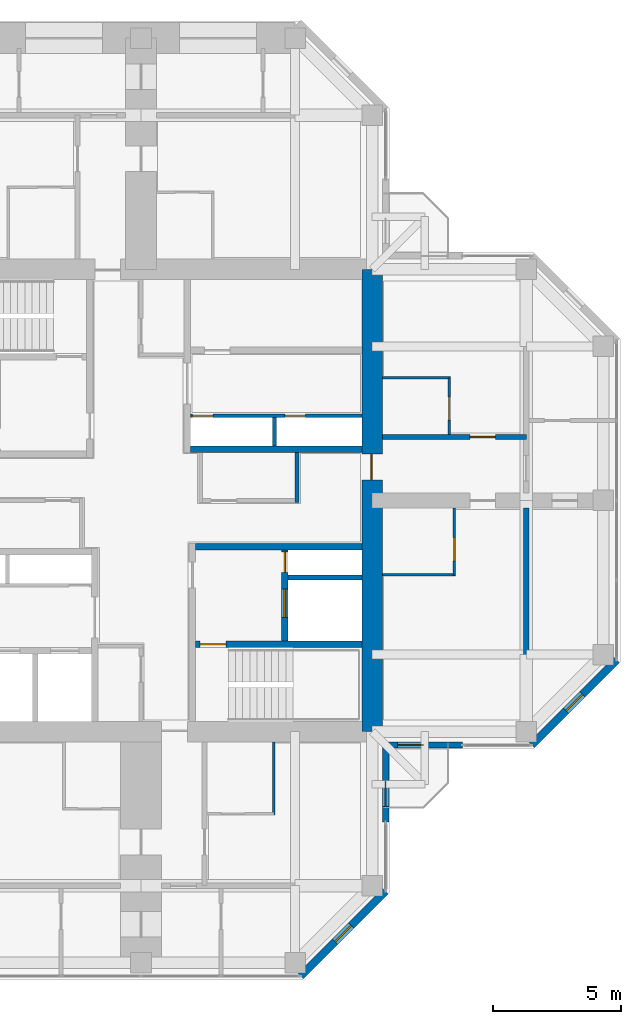
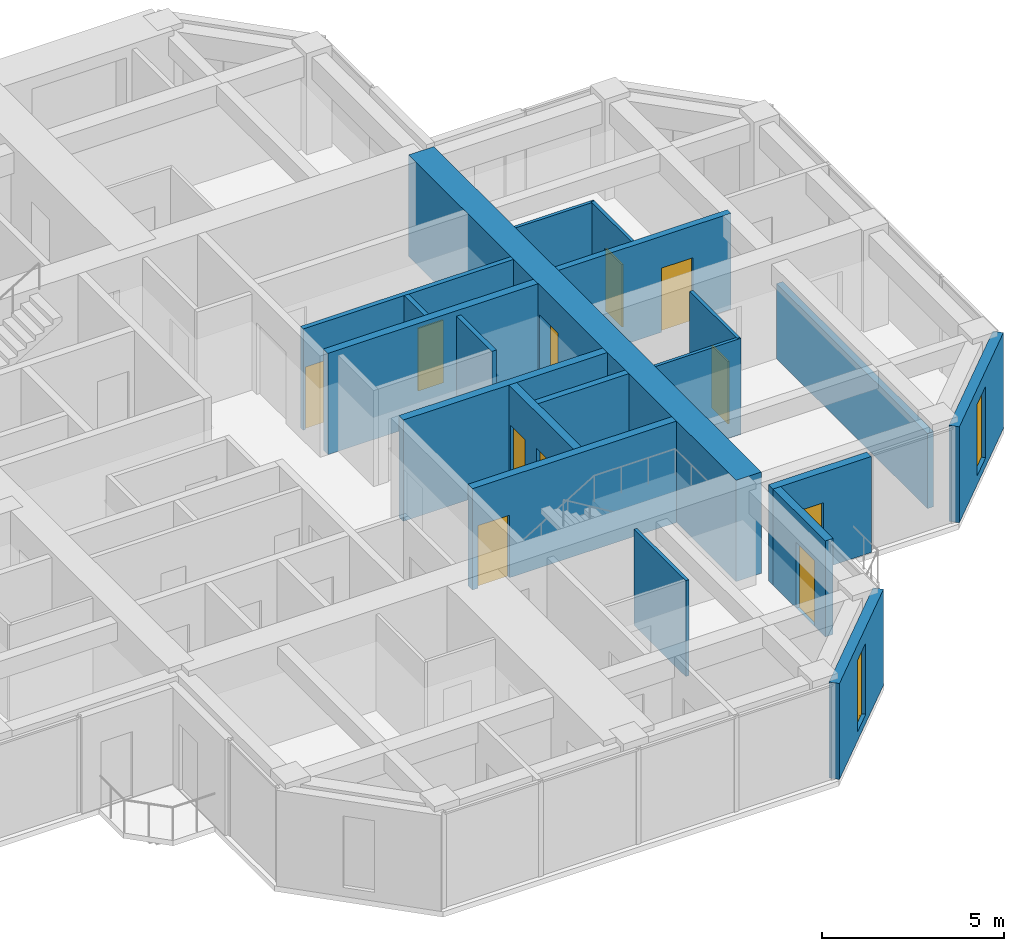
# One storey, part 11 of 14: 20 walls, 11 doors, 2 windows, 13 openings.
"""IFC4 building model written with IfcOpenShell, lengths in metres."""

from ifc_helpers import new_model, si_unit, direction, frame, frame_2d, origin, place, context, subcontext, project, spatial, rectangle, hollow_rectangle, extrude, material, layer, layer_set, constituent, constituent_set, type_object, element, fill, save


model = new_model("IFC4")

# Units and contexts
model_context = context("Model", 3, precision=1e-05, world=origin(), true_north=direction((0.0, 1.0)))
body_context = subcontext(model_context, "Body", "Model", "MODEL_VIEW")
ifc_project = project(units=[si_unit("LENGTHUNIT", "METRE"), si_unit("AREAUNIT", "SQUARE_METRE"), si_unit("VOLUMEUNIT", "CUBIC_METRE"), si_unit("PLANEANGLEUNIT", "RADIAN"), si_unit("MASSUNIT", "GRAM", prefix="KILO")], contexts=[model_context])

# Site, building, storey
site_placement = place(None, origin())
site = spatial("IfcSite", under=ifc_project, at=site_placement, CompositionType="ELEMENT")
building_placement = place(site_placement, origin())
building = spatial("IfcBuilding", under=site, at=building_placement, Name="Torre Cruceta", CompositionType="ELEMENT")
storey_placement = place(building_placement, frame((0.0, 0.0, 225.5)))
storey = spatial("IfcBuildingStorey", under=building, at=storey_placement, Name="L57", CompositionType="ELEMENT", Elevation=225.5)

# Wall
ifc_material_1 = material(Name="Water-resistant plasterboard on steel studs", Category="steel")
ifc_layer_1 = layer(ifc_material_1, 0.10009765625)
ifc_layer_set_1 = layer_set([ifc_layer_1], Name="Water-resistant plasterboard on steel studs")
wall_type_1 = type_object("IfcWallType", Name="BATHROOM WALL 100", PredefinedType="PARTITIONING", material=ifc_layer_set_1)
wall_1_placement = place(storey_placement, frame((9.39990234375, 4.77490234375, 0.0), z_axis=(0.0, 0.0, 1.0), x_axis=(1.0, 0.0, 0.0)))
element("IfcWall", 1, at=wall_1_placement, inside=storey, type_object=wall_type_1, Name="PT4 L57-E-U1LBB", PredefinedType="PARTITIONING", context=body_context, shape_type="SweptSolid", body=[
    extrude(rectangle(XDim=2.650146484375, YDim=0.10009765625, at=frame_2d((1.3251953125, 0.0))), origin(), (0.0, 0.0, 1.0), 3.219970703125),
])

# Wall, opening, door
wall_2_placement = place(storey_placement, frame((12.0, 2.574951171875, 0.0), z_axis=(0.0, 0.0, 1.0), x_axis=(0.0, 1.0, 0.0)))
wall_2 = element("IfcWall", 2, at=wall_2_placement, inside=storey, type_object=wall_type_1, Name="PT4 L57-E-U1LBS", PredefinedType="PARTITIONING", context=body_context, shape_type="SweptSolid", body=[
    extrude(rectangle(XDim=2.199951171875, YDim=0.10009765625, at=frame_2d((1.10009765625, 0.0))), origin(), (0.0, 0.0, 1.0), 3.219970703125),
])
opening_1_placement = place(wall_2_placement, frame((0.550048828125, 0.0, 0.0)))
opening_1 = element("IfcOpeningElement", 3, at=opening_1_placement, cuts=wall_2, Name="Opening D7", PredefinedType="OPENING", context=body_context, shape_type="SweptSolid", body=[
    extrude(rectangle(XDim=0.89990234375, YDim=2.10009765625, at=frame_2d((0.449951171875, 1.050048828125))), frame((0.0, 0.06005859375, 0.0), z_axis=(0.0, -1.0, 0.0), x_axis=(1.0, 0.0, 0.0)), (0.0, 0.0, 1.0), 0.1201171875),
])
ifc_material_2 = material(Name="Timber door", Category="wood")
door_type_1 = type_object("IfcDoorType", Name="BATHROOM DOOR 900X2100", OperationType="SINGLE_SWING_LEFT", PredefinedType="DOOR", material=ifc_material_2)
door_1_placement = place(opening_1_placement, origin())
door_1 = element("IfcDoor", 4, at=door_1_placement, inside=storey, type_object=door_type_1, Name="D7 L57-E-U1LBS-D1", OperationType="SINGLE_SWING_LEFT", OverallHeight=2.10009765625, OverallWidth=0.89990234375, PredefinedType="DOOR", context=body_context, shape_type="SweptSolid", body=[
    extrude(rectangle(XDim=0.89990234375, YDim=2.10009765625, at=frame_2d((0.449951171875, 1.050048828125))), frame((0.0, 0.02490234375, 0.0), z_axis=(0.0, -1.0, 0.0), x_axis=(1.0, 0.0, 0.0)), (0.0, 0.0, 1.0), 0.050048828125),
])
fill(opening_1, door_1)

# Wall
wall_3_placement = place(storey_placement, frame((9.39990234375, -2.89990234375, 0.0), z_axis=(0.0, 0.0, 1.0), x_axis=(1.0, 0.0, 0.0)))
element("IfcWall", 5, at=wall_3_placement, inside=storey, type_object=wall_type_1, Name="PT4 L57-E-U1RBB", PredefinedType="PARTITIONING", context=body_context, shape_type="SweptSolid", body=[
    extrude(rectangle(XDim=2.85009765625, YDim=0.10009765625, at=frame_2d((1.425048828125, 0.0))), origin(), (0.0, 0.0, 1.0), 3.219970703125),
])

# Wall, opening, door
wall_4_placement = place(storey_placement, frame((12.199951171875, -2.89990234375, 0.0), z_axis=(0.0, 0.0, 1.0), x_axis=(0.0, 1.0, 0.0)))
wall_4 = element("IfcWall", 6, at=wall_4_placement, inside=storey, type_object=wall_type_1, Name="PT4 L57-E-U1RBS", PredefinedType="PARTITIONING", context=body_context, shape_type="SweptSolid", body=[
    extrude(rectangle(XDim=2.599853515625, YDim=0.10009765625, at=frame_2d((1.2998046875, 0.0))), origin(), (0.0, 0.0, 1.0), 3.219970703125),
])
opening_2_placement = place(wall_4_placement, frame((0.550048828125, 0.0, 0.0)))
opening_2 = element("IfcOpeningElement", 7, at=opening_2_placement, cuts=wall_4, Name="Opening D7", PredefinedType="OPENING", context=body_context, shape_type="SweptSolid", body=[
    extrude(rectangle(XDim=0.89990234375, YDim=2.10009765625, at=frame_2d((0.449951171875, 1.050048828125))), frame((0.0, 0.06005859375, 0.0), z_axis=(0.0, -1.0, 0.0), x_axis=(1.0, 0.0, 0.0)), (0.0, 0.0, 1.0), 0.1201171875),
])
door_2_placement = place(opening_2_placement, origin())
door_2 = element("IfcDoor", 8, at=door_2_placement, inside=storey, type_object=door_type_1, Name="D7 L57-E-U1RBS-D1", OperationType="SINGLE_SWING_LEFT", OverallHeight=2.10009765625, OverallWidth=0.89990234375, PredefinedType="DOOR", context=body_context, shape_type="SweptSolid", body=[
    extrude(rectangle(XDim=0.89990234375, YDim=2.10009765625, at=frame_2d((0.449951171875, 1.050048828125))), frame((0.0, 0.02490234375, 0.0), z_axis=(0.0, -1.0, 0.0), x_axis=(1.0, 0.0, 0.0)), (0.0, 0.0, 1.0), 0.050048828125),
])
fill(opening_2, door_2)

# Walls
wall_5_placement = place(storey_placement, frame((5.175048828125, -9.39990234375, 0.0), z_axis=(0.0, 0.0, 1.0), x_axis=(0.0, -1.0, 0.0)))
element("IfcWall", 9, at=wall_5_placement, inside=storey, type_object=wall_type_1, Name="PT4 L57-S-U1LBB", PredefinedType="PARTITIONING", context=body_context, shape_type="SweptSolid", body=[
    extrude(rectangle(XDim=2.85009765625, YDim=0.10009765625, at=frame_2d((1.425048828125, 0.0))), origin(), (0.0, 0.0, 1.0), 3.219970703125),
])
ifc_material_3 = material(Name="Concrete G60 (fck 60 MPa)", Category="concrete")
ifc_layer_2 = layer(ifc_material_3, 0.25)
ifc_layer_set_2 = layer_set([ifc_layer_2], Name="Concrete G60 (fck 60 MPa)")
wall_type_2 = type_object("IfcWallType", Name="CORE INNER WALL 250 G60", PredefinedType="SHEAR", material=ifc_layer_set_2)
wall_6_placement = place(storey_placement, frame((1.925048828125, 2.0, 0.0), z_axis=(0.0, 0.0, 1.0), x_axis=(1.0, 0.0, 0.0)))
element("IfcWall", 10, at=wall_6_placement, inside=storey, type_object=wall_type_2, Name="CW4 L57 NE-CV", PredefinedType="SHEAR", context=body_context, shape_type="SweptSolid", body=[
    extrude(rectangle(XDim=6.675048828125, YDim=0.25, at=frame_2d((3.33740234375, 0.0))), origin(), (0.0, 0.0, 1.0), 3.39990234375),
])
wall_7_placement = place(storey_placement, frame((2.125, -1.800048828125, 0.0), z_axis=(0.0, 0.0, 1.0), x_axis=(1.0, 0.0, 0.0)))
element("IfcWall", 11, at=wall_7_placement, inside=storey, type_object=wall_type_2, Name="CW4 L57 SE-CV", PredefinedType="SHEAR", context=body_context, shape_type="SweptSolid", body=[
    extrude(rectangle(XDim=6.47509765625, YDim=0.25, at=frame_2d((3.237548828125, 0.0))), origin(), (0.0, 0.0, 1.0), 3.39990234375),
])

# Wall, opening, door
wall_8_placement = place(storey_placement, frame((2.125, -5.60009765625, 0.0), z_axis=(0.0, 0.0, 1.0), x_axis=(1.0, 0.0, 0.0)))
wall_8 = element("IfcWall", 12, at=wall_8_placement, inside=storey, type_object=wall_type_2, Name="CW4 L57 SE-SV", PredefinedType="SHEAR", context=body_context, shape_type="SweptSolid", body=[
    extrude(rectangle(XDim=6.47509765625, YDim=0.25, at=frame_2d((3.237548828125, 0.0))), origin(), (0.0, 0.0, 1.0), 3.39990234375),
])
opening_3_placement = place(wall_8_placement, frame((0.175048828125, 0.0, 0.0)))
opening_3 = element("IfcOpeningElement", 13, at=opening_3_placement, cuts=wall_8, Name="Opening D3", PredefinedType="OPENING", context=body_context, shape_type="SweptSolid", body=[
    extrude(rectangle(XDim=1.0, YDim=2.10009765625, at=frame_2d((0.5, 1.050048828125))), frame((0.0, 0.135009765625, 0.0), z_axis=(0.0, -1.0, 0.0), x_axis=(1.0, 0.0, 0.0)), (0.0, 0.0, 1.0), 0.27001953125),
])
ifc_material_4 = material(Name="Steel DX51D", Category="steel")
ifc_constituent_1 = constituent(ifc_material_4, Name="Leaf and frame")
ifc_material_5 = material(Name="Polyester powder coating", Category="paint")
ifc_constituent_2 = constituent(ifc_material_5, Name="Finish")
ifc_constituent_set_1 = constituent_set(constituents=[ifc_constituent_1, ifc_constituent_2], Name="Steel fire door")
door_type_2 = type_object("IfcDoorType", Name="FIRE DOOR 1000X2100", OperationType="SINGLE_SWING_LEFT", PredefinedType="DOOR", material=ifc_constituent_set_1)
door_3_placement = place(opening_3_placement, frame((1.0, 0.0, 0.0), z_axis=(0.0, 0.0, 1.0), x_axis=(-1.0, 0.0, 0.0)))
door_3 = element("IfcDoor", 14, at=door_3_placement, inside=storey, type_object=door_type_2, Name="D3 L57 SE-STAIR", OperationType="SINGLE_SWING_RIGHT", OverallHeight=2.10009765625, OverallWidth=1.0, PredefinedType="DOOR", context=body_context, shape_type="SweptSolid", body=[
    extrude(rectangle(XDim=1.0, YDim=2.10009765625, at=frame_2d((0.5, 1.050048828125))), frame((0.0, 0.025146484375, 0.0), z_axis=(0.0, -1.0, 0.0), x_axis=(1.0, 0.0, 0.0)), (0.0, 0.0, 1.0), 0.050048828125),
])
fill(opening_3, door_3)

# Wall, openings, doors
wall_9_placement = place(storey_placement, frame((5.60009765625, -1.925048828125, 0.0), z_axis=(0.0, 0.0, 1.0), x_axis=(0.0, -1.0, 0.0)))
wall_9 = element("IfcWall", 15, at=wall_9_placement, inside=storey, type_object=wall_type_2, Name="CW4 L57 SE-FU", PredefinedType="SHEAR", context=body_context, shape_type="SweptSolid", body=[
    extrude(rectangle(XDim=3.550048828125, YDim=0.25, at=frame_2d((1.77490234375, 0.0))), origin(), (0.0, 0.0, 1.0), 3.39990234375),
])
opening_4_placement = place(wall_9_placement, frame((1.52490234375, 0.0, 0.0)))
opening_4 = element("IfcOpeningElement", 16, at=opening_4_placement, cuts=wall_9, Name="Opening LD1", PredefinedType="OPENING", context=body_context, shape_type="SweptSolid", body=[
    extrude(rectangle(XDim=1.10009765625, YDim=2.199951171875, at=frame_2d((0.550048828125, 1.10009765625))), frame((0.0, 0.135009765625, 0.0), z_axis=(0.0, -1.0, 0.0), x_axis=(1.0, 0.0, 0.0)), (0.0, 0.0, 1.0), 0.27001953125),
])
opening_5_placement = place(wall_9_placement, frame((0.074951171875, 0.0, 0.0)))
opening_5 = element("IfcOpeningElement", 17, at=opening_5_placement, cuts=wall_9, Name="Opening D5", PredefinedType="OPENING", context=body_context, shape_type="SweptSolid", body=[
    extrude(rectangle(XDim=0.800048828125, YDim=2.10009765625, at=frame_2d((0.39990234375, 1.050048828125))), frame((0.0, 0.135009765625, 0.0), z_axis=(0.0, -1.0, 0.0), x_axis=(1.0, 0.0, 0.0)), (0.0, 0.0, 1.0), 0.27001953125),
])
ifc_material_6 = material(Name="Stainless steel 1.4401", Category="steel")
door_type_3 = type_object("IfcDoorType", Name="LIFT LANDING DOOR 1100X2200", OperationType="DOUBLE_DOOR_SLIDING", PredefinedType="DOOR", material=ifc_material_6)
door_4_placement = place(opening_4_placement, origin())
door_4 = element("IfcDoor", 18, at=door_4_placement, inside=storey, type_object=door_type_3, Name="Lift landing door FL2", OperationType="DOUBLE_DOOR_SLIDING", OverallHeight=2.199951171875, OverallWidth=1.10009765625, PredefinedType="DOOR", context=body_context, shape_type="SweptSolid", body=[
    extrude(rectangle(XDim=1.10009765625, YDim=2.199951171875, at=frame_2d((0.550048828125, 1.10009765625))), frame((0.0, 0.02490234375, 0.0), z_axis=(0.0, -1.0, 0.0), x_axis=(1.0, 0.0, 0.0)), (0.0, 0.0, 1.0), 0.050048828125),
])
fill(opening_4, door_4)
ifc_material_7 = material(Name="Steel DX51D", Category="steel")
ifc_constituent_3 = constituent(ifc_material_7, Name="Leaf and frame")
ifc_material_8 = material(Name="Polyester powder coating", Category="paint")
ifc_constituent_4 = constituent(ifc_material_8, Name="Finish")
ifc_constituent_set_2 = constituent_set(constituents=[ifc_constituent_3, ifc_constituent_4], Name="Steel fire door")
door_type_4 = type_object("IfcDoorType", Name="RISER ACCESS DOOR 800X2100", OperationType="SINGLE_SWING_LEFT", PredefinedType="DOOR", material=ifc_constituent_set_2)
door_5_placement = place(opening_5_placement, origin())
door_5 = element("IfcDoor", 19, at=door_5_placement, inside=storey, type_object=door_type_4, Name="D5 L57 SE-RISER", OperationType="SINGLE_SWING_LEFT", OverallHeight=2.10009765625, OverallWidth=0.800048828125, PredefinedType="DOOR", context=body_context, shape_type="SweptSolid", body=[
    extrude(rectangle(XDim=0.800048828125, YDim=2.10009765625, at=frame_2d((0.39990234375, 1.050048828125))), frame((0.0, 0.02490234375, 0.0), z_axis=(0.0, -1.0, 0.0), x_axis=(1.0, 0.0, 0.0)), (0.0, 0.0, 1.0), 0.050048828125),
])
fill(opening_5, door_5)

# Wall, opening, door
ifc_material_9 = material(Name="Concrete G60 (fck 60 MPa)", Category="concrete")
ifc_layer_3 = layer(ifc_material_9, 0.800048828125)
ifc_layer_set_3 = layer_set([ifc_layer_3], Name="Concrete G60 (fck 60 MPa)")
wall_type_3 = type_object("IfcWallType", Name="CORE WALL 800 G60", PredefinedType="SHEAR", material=ifc_layer_set_3)
wall_10_placement = place(storey_placement, frame((9.0, -9.0, 0.0), z_axis=(0.0, 0.0, 1.0), x_axis=(0.0, 1.0, 0.0)))
wall_10 = element("IfcWall", 20, at=wall_10_placement, inside=storey, type_object=wall_type_3, Name="CW3 L57 CW-E", PredefinedType="SHEAR", context=body_context, shape_type="SweptSolid", body=[
    extrude(rectangle(XDim=18.0, YDim=0.800048828125, at=frame_2d((9.0, 0.0))), origin(), (0.0, 0.0, 1.0), 3.39990234375),
])
opening_6_placement = place(wall_10_placement, frame((9.800048828125, 0.0, 0.0)))
opening_6 = element("IfcOpeningElement", 21, at=opening_6_placement, cuts=wall_10, Name="Opening D4", PredefinedType="OPENING", context=body_context, shape_type="SweptSolid", body=[
    extrude(rectangle(XDim=1.0, YDim=2.39990234375, at=frame_2d((0.5, 1.199951171875))), frame((0.0, 0.409912109375, 0.0), z_axis=(0.0, -1.0, 0.0), x_axis=(1.0, 0.0, 0.0)), (0.0, 0.0, 1.0), 0.820068359375),
])
ifc_material_10 = material(Name="Steel DX51D", Category="steel")
ifc_constituent_5 = constituent(ifc_material_10, Name="Leaf and frame")
ifc_material_11 = material(Name="Polyester powder coating", Category="paint")
ifc_constituent_6 = constituent(ifc_material_11, Name="Finish")
ifc_constituent_set_3 = constituent_set(constituents=[ifc_constituent_5, ifc_constituent_6], Name="Steel fire door")
door_type_5 = type_object("IfcDoorType", Name="CORE ARM DOOR 1000X2400", OperationType="SINGLE_SWING_RIGHT", PredefinedType="DOOR", material=ifc_constituent_set_3)
door_6_placement = place(opening_6_placement, origin())
door_6 = element("IfcDoor", 22, at=door_6_placement, inside=storey, type_object=door_type_5, Name="D4 L57 CW-E", OperationType="SINGLE_SWING_RIGHT", OverallHeight=2.39990234375, OverallWidth=1.0, PredefinedType="DOOR", context=body_context, shape_type="SweptSolid", body=[
    extrude(rectangle(XDim=1.0, YDim=2.39990234375, at=frame_2d((0.5, 1.199951171875))), frame((0.0, 0.05517578125, 0.0), z_axis=(0.0, -1.0, 0.0), x_axis=(1.0, 0.0, 0.0)), (0.0, 0.0, 1.0), 0.050048828125),
])
fill(opening_6, door_6)

ifc_material_12 = material(Name="Concrete G25 (fck 25 MPa)", Category="concrete")
ifc_layer_4 = layer(ifc_material_12, 0.199951171875)
ifc_layer_set_4 = layer_set([ifc_layer_4], Name="Concrete G25 (fck 25 MPa)")
wall_type_4 = type_object("IfcWallType", Name="CORRIDOR WALL 200", PredefinedType="SOLIDWALL", material=ifc_layer_set_4)
wall_11_placement = place(storey_placement, frame((9.39990234375, 2.47509765625, 0.0), z_axis=(0.0, 0.0, 1.0), x_axis=(1.0, 0.0, 0.0)))
wall_11 = element("IfcWall", 23, at=wall_11_placement, inside=storey, type_object=wall_type_4, Name="PT3 L57-E-CL", PredefinedType="SOLIDWALL", context=body_context, shape_type="SweptSolid", body=[
    extrude(rectangle(XDim=5.60009765625, YDim=0.199951171875, at=frame_2d((2.800048828125, 0.0))), origin(), (0.0, 0.0, 1.0), 3.219970703125),
])
opening_7_placement = place(wall_11_placement, frame((3.39990234375, 0.0, 0.0)))
opening_7 = element("IfcOpeningElement", 24, at=opening_7_placement, cuts=wall_11, Name="Opening D6", PredefinedType="OPENING", context=body_context, shape_type="SweptSolid", body=[
    extrude(rectangle(XDim=1.0, YDim=2.14990234375, at=frame_2d((0.5, 1.074951171875))), frame((0.0, 0.10986328125, 0.0), z_axis=(0.0, -1.0, 0.0), x_axis=(1.0, 0.0, 0.0)), (0.0, 0.0, 1.0), 0.219970703125),
])
ifc_material_13 = material(Name="Timber fire door", Category="wood")
door_type_6 = type_object("IfcDoorType", Name="UNIT ENTRANCE DOOR 1000X2150", OperationType="SINGLE_SWING_LEFT", PredefinedType="DOOR", material=ifc_material_13)
door_7_placement = place(opening_7_placement, origin())
door_7 = element("IfcDoor", 25, at=door_7_placement, inside=storey, type_object=door_type_6, Name="D6 L57-E-CL-D1", OperationType="SINGLE_SWING_LEFT", OverallHeight=2.14990234375, OverallWidth=1.0, PredefinedType="DOOR", context=body_context, shape_type="SweptSolid", body=[
    extrude(rectangle(XDim=1.0, YDim=2.14990234375, at=frame_2d((0.5, 1.074951171875))), frame((0.0, 0.02490234375, 0.0), z_axis=(0.0, -1.0, 0.0), x_axis=(1.0, 0.0, 0.0)), (0.0, 0.0, 1.0), 0.050048828125),
])
fill(opening_7, door_7)

# Wall, opening, window
ifc_material_14 = material(Name="Concrete G30 (fck 30 MPa)", Category="concrete")
ifc_layer_5 = layer(ifc_material_14, 0.300048828125)
ifc_layer_set_5 = layer_set([ifc_layer_5], Name="Concrete G30 (fck 30 MPa)")
wall_type_5 = type_object("IfcWallType", Name="EXPOSED CONCRETE FACADE WALL 300", PredefinedType="SOLIDWALL", material=ifc_layer_set_5)
wall_12_placement = place(storey_placement, frame((15.21533203125, -9.52001953125, 0.0), z_axis=(0.0, 0.0, 1.0), x_axis=(0.707106781187, 0.707106781187, 0.0)))
wall_12 = element("IfcWall", 26, at=wall_12_placement, inside=storey, type_object=wall_type_5, Name="EW1 facade wall L57 E chamfer 01", PredefinedType="SOLIDWALL", context=body_context, shape_type="SweptSolid", body=[
    extrude(rectangle(XDim=4.673583984375, YDim=0.300048828125, at=frame_2d((2.3369140625, 0.0))), origin(), (0.0, 0.0, 1.0), 3.219970703125),
])
opening_8_placement = place(wall_12_placement, frame((1.88671875, 0.0, 0.300048828125)))
opening_8 = element("IfcOpeningElement", 27, at=opening_8_placement, cuts=wall_12, Name="Opening WN5", PredefinedType="OPENING", context=body_context, shape_type="SweptSolid", body=[
    extrude(rectangle(XDim=0.89990234375, YDim=2.39990234375, at=frame_2d((0.449951171875, 1.199951171875))), frame((0.0, 0.159912109375, 0.0), z_axis=(0.0, -1.0, 0.0), x_axis=(1.0, 0.0, 0.0)), (0.0, 0.0, 1.0), 0.320068359375),
])
ifc_material_15 = material(Name="Aluminium window frame", Category="aluminium")
ifc_constituent_7 = constituent(ifc_material_15, Name="Frame")
ifc_material_16 = material(Name="Laminated insulating glass unit, low-iron clear", Category="glass")
ifc_constituent_8 = constituent(ifc_material_16, Name="Glazing")
ifc_constituent_set_4 = constituent_set(constituents=[ifc_constituent_7, ifc_constituent_8], Name="Aluminium window")
window_type = type_object("IfcWindowType", Name="CHAMFER SLOT WINDOW 900X2400", PartitioningType="SINGLE_PANEL", PredefinedType="WINDOW", material=ifc_constituent_set_4)
window_1_placement = place(opening_8_placement, origin())
window_1 = element("IfcWindow", 28, at=window_1_placement, inside=storey, type_object=window_type, Name="WN5 L57 E 1", OverallHeight=2.39990234375, OverallWidth=0.89990234375, PartitioningType="SINGLE_PANEL", PredefinedType="WINDOW", context=body_context, shape_type="SweptSolid", body=[
    extrude(hollow_rectangle(XDim=0.89990234375, YDim=2.39990234375, WallThickness=0.06005859375, at=frame_2d((0.449951171875, 1.199951171875))), frame((0.0, 0.030029296875, 0.0), z_axis=(0.0, -1.0, 0.0), x_axis=(1.0, 0.0, 0.0)), (0.0, 0.0, 1.0), 0.06005859375),
    extrude(rectangle(XDim=0.77880859375, YDim=2.27880859375, at=frame_2d((0.449951171875, 1.199951171875))), frame((0.0, 0.030029296875, 0.0), z_axis=(0.0, -1.0, 0.0), x_axis=(1.0, 0.0, 0.0)), (0.0, 0.0, 1.0), 0.06005859375),
])
fill(opening_8, window_1)

wall_13_placement = place(storey_placement, frame((6.21533203125, -18.52001953125, 0.0), z_axis=(0.0, 0.0, 1.0), x_axis=(0.707106781187, 0.707106781187, 0.0)))
wall_13 = element("IfcWall", 29, at=wall_13_placement, inside=storey, type_object=wall_type_5, Name="EW1 facade wall L57 S chamfer 18", PredefinedType="SOLIDWALL", context=body_context, shape_type="SweptSolid", body=[
    extrude(rectangle(XDim=4.673583984375, YDim=0.300048828125, at=frame_2d((2.3369140625, 0.0))), origin(), (0.0, 0.0, 1.0), 3.219970703125),
])
opening_9_placement = place(wall_13_placement, frame((1.88671875, 0.0, 0.300048828125)))
opening_9 = element("IfcOpeningElement", 30, at=opening_9_placement, cuts=wall_13, Name="Opening WN5", PredefinedType="OPENING", context=body_context, shape_type="SweptSolid", body=[
    extrude(rectangle(XDim=0.89990234375, YDim=2.39990234375, at=frame_2d((0.449951171875, 1.199951171875))), frame((0.0, 0.159912109375, 0.0), z_axis=(0.0, -1.0, 0.0), x_axis=(1.0, 0.0, 0.0)), (0.0, 0.0, 1.0), 0.320068359375),
])
window_2_placement = place(opening_9_placement, origin())
window_2 = element("IfcWindow", 31, at=window_2_placement, inside=storey, type_object=window_type, Name="WN5 L57 S 1", OverallHeight=2.39990234375, OverallWidth=0.89990234375, PartitioningType="SINGLE_PANEL", PredefinedType="WINDOW", context=body_context, shape_type="SweptSolid", body=[
    extrude(hollow_rectangle(XDim=0.89990234375, YDim=2.39990234375, WallThickness=0.06005859375, at=frame_2d((0.449951171875, 1.199951171875))), frame((0.0, 0.030029296875, 0.0), z_axis=(0.0, -1.0, 0.0), x_axis=(1.0, 0.0, 0.0)), (0.0, 0.0, 1.0), 0.06005859375),
    extrude(rectangle(XDim=0.77880859375, YDim=2.27880859375, at=frame_2d((0.449951171875, 1.199951171875))), frame((0.0, 0.030029296875, 0.0), z_axis=(0.0, -1.0, 0.0), x_axis=(1.0, 0.0, 0.0)), (0.0, 0.0, 1.0), 0.06005859375),
])
fill(opening_9, window_2)

# Walls
ifc_material_17 = material(Name="Concrete G35 (fck 35 MPa)", Category="concrete")
ifc_layer_6 = layer(ifc_material_17, 0.199951171875)
ifc_layer_set_6 = layer_set([ifc_layer_6], Name="Concrete G35 (fck 35 MPa)")
wall_type_6 = type_object("IfcWallType", Name="LIFT SHAFT WALL 200", PredefinedType="PARTITIONING", material=ifc_layer_set_6)
wall_14_placement = place(storey_placement, frame((5.72509765625, -3.0, 0.0), z_axis=(0.0, 0.0, 1.0), x_axis=(1.0, 0.0, 0.0)))
element("IfcWall", 32, at=wall_14_placement, inside=storey, type_object=wall_type_6, Name="SW1 L57 SE-FR", PredefinedType="PARTITIONING", context=body_context, shape_type="SweptSolid", body=[
    extrude(rectangle(XDim=2.875, YDim=0.199951171875, at=frame_2d((1.4375, 0.0))), origin(), (0.0, 0.0, 1.0), 3.39990234375),
])
ifc_material_18 = material(Name="Plasterboard on steel studs", Category="steel")
ifc_layer_7 = layer(ifc_material_18, 0.14990234375)
ifc_layer_set_7 = layer_set([ifc_layer_7], Name="Plasterboard on steel studs")
wall_type_7 = type_object("IfcWallType", Name="PARTITION 150", PredefinedType="PARTITIONING", material=ifc_layer_set_7)
wall_15_placement = place(storey_placement, frame((6.074951171875, -0.074951171875, 0.0), z_axis=(0.0, 0.0, 1.0), x_axis=(0.0, 1.0, 0.0)))
element("IfcWall", 33, at=wall_15_placement, inside=storey, type_object=wall_type_7, Name="PT1 L57-CORE-LEGE-N-W3", PredefinedType="PARTITIONING", context=body_context, shape_type="SweptSolid", body=[
    extrude(rectangle(XDim=1.949951171875, YDim=0.14990234375, at=frame_2d((0.97509765625, 0.0))), origin(), (0.0, 0.0, 1.0), 3.219970703125),
])

# Wall, openings, doors
ifc_material_19 = material(Name="Concrete block masonry", Category="masonry")
ifc_layer_8 = layer(ifc_material_19, 0.14990234375)
ifc_layer_set_8 = layer_set([ifc_layer_8], Name="Concrete block masonry")
wall_type_8 = type_object("IfcWallType", Name="RISER WALL 150", PredefinedType="PARTITIONING", material=ifc_layer_set_8)
wall_16_placement = place(storey_placement, frame((1.925048828125, 3.300048828125, 0.0), z_axis=(0.0, 0.0, 1.0), x_axis=(1.0, 0.0, 0.0)))
wall_16 = element("IfcWall", 34, at=wall_16_placement, inside=storey, type_object=wall_type_8, Name="SW7 L57 NE-RV", PredefinedType="PARTITIONING", context=body_context, shape_type="SweptSolid", body=[
    extrude(rectangle(XDim=6.675048828125, YDim=0.14990234375, at=frame_2d((3.33740234375, 0.0))), origin(), (0.0, 0.0, 1.0), 3.39990234375),
])
opening_10_placement = place(wall_16_placement, frame((0.074951171875, 0.0, 0.0)))
opening_10 = element("IfcOpeningElement", 35, at=opening_10_placement, cuts=wall_16, Name="Opening D5", PredefinedType="OPENING", context=body_context, shape_type="SweptSolid", body=[
    extrude(rectangle(XDim=0.800048828125, YDim=2.10009765625, at=frame_2d((0.39990234375, 1.050048828125))), frame((0.0, 0.0849609375, 0.0), z_axis=(0.0, -1.0, 0.0), x_axis=(1.0, 0.0, 0.0)), (0.0, 0.0, 1.0), 0.169921875),
])
opening_11_placement = place(wall_16_placement, frame((3.675048828125, 0.0, 0.0)))
opening_11 = element("IfcOpeningElement", 36, at=opening_11_placement, cuts=wall_16, Name="Opening D5", PredefinedType="OPENING", context=body_context, shape_type="SweptSolid", body=[
    extrude(rectangle(XDim=0.800048828125, YDim=2.10009765625, at=frame_2d((0.39990234375, 1.050048828125))), frame((0.0, 0.0849609375, 0.0), z_axis=(0.0, -1.0, 0.0), x_axis=(1.0, 0.0, 0.0)), (0.0, 0.0, 1.0), 0.169921875),
])
door_8_placement = place(opening_10_placement, frame((0.800048828125, 0.0, 0.0), z_axis=(0.0, 0.0, 1.0), x_axis=(-1.0, 0.0, 0.0)))
door_8 = element("IfcDoor", 37, at=door_8_placement, inside=storey, type_object=door_type_4, Name="D5 L57 NE-RISER1", OperationType="SINGLE_SWING_RIGHT", OverallHeight=2.10009765625, OverallWidth=0.800048828125, PredefinedType="DOOR", context=body_context, shape_type="SweptSolid", body=[
    extrude(rectangle(XDim=0.800048828125, YDim=2.10009765625, at=frame_2d((0.400146484375, 1.050048828125))), frame((0.0, 0.025146484375, 0.0), z_axis=(0.0, -1.0, 0.0), x_axis=(1.0, 0.0, 0.0)), (0.0, 0.0, 1.0), 0.050048828125),
])
fill(opening_10, door_8)
door_9_placement = place(opening_11_placement, frame((0.800048828125, 0.0, 0.0), z_axis=(0.0, 0.0, 1.0), x_axis=(-1.0, 0.0, 0.0)))
door_9 = element("IfcDoor", 38, at=door_9_placement, inside=storey, type_object=door_type_4, Name="D5 L57 NE-RISER2", OperationType="SINGLE_SWING_RIGHT", OverallHeight=2.10009765625, OverallWidth=0.800048828125, PredefinedType="DOOR", context=body_context, shape_type="SweptSolid", body=[
    extrude(rectangle(XDim=0.800048828125, YDim=2.10009765625, at=frame_2d((0.400146484375, 1.050048828125))), frame((0.0, 0.025146484375, 0.0), z_axis=(0.0, -1.0, 0.0), x_axis=(1.0, 0.0, 0.0)), (0.0, 0.0, 1.0), 0.050048828125),
])
fill(opening_11, door_9)

# Walls
wall_17_placement = place(storey_placement, frame((5.199951171875, 2.125, 0.0), z_axis=(0.0, 0.0, 1.0), x_axis=(0.0, 1.0, 0.0)))
element("IfcWall", 39, at=wall_17_placement, inside=storey, type_object=wall_type_8, Name="SW7 L57 NE-RU", PredefinedType="PARTITIONING", context=body_context, shape_type="SweptSolid", body=[
    extrude(rectangle(XDim=1.10009765625, YDim=0.14990234375, at=frame_2d((0.550048828125, 0.0))), origin(), (0.0, 0.0, 1.0), 3.39990234375),
])
ifc_material_20 = material(Name="Concrete G25 (fck 25 MPa)", Category="concrete")
ifc_layer_9 = layer(ifc_material_20, 0.199951171875)
ifc_layer_set_9 = layer_set([ifc_layer_9], Name="Concrete G25 (fck 25 MPa)")
wall_type_9 = type_object("IfcWallType", Name="UNIT SEPARATING WALL 200", PredefinedType="SOLIDWALL", material=ifc_layer_set_9)
wall_18_placement = place(storey_placement, frame((15.0, -8.60009765625, 0.0), z_axis=(0.0, 0.0, 1.0), x_axis=(0.0, 1.0, 0.0)))
element("IfcWall", 40, at=wall_18_placement, inside=storey, type_object=wall_type_9, Name="PT2 L57-E-ENDa", PredefinedType="SOLIDWALL", context=body_context, shape_type="SweptSolid", body=[
    extrude(rectangle(XDim=8.300048828125, YDim=0.199951171875, at=frame_2d((4.14990234375, 0.0))), origin(), (0.0, 0.0, 1.0), 2.52001953125),
])

# Wall, opening, door
ifc_material_21 = material(Name="Concrete G30 (fck 30 MPa)", Category="concrete")
ifc_layer_10 = layer(ifc_material_21, 0.25)
ifc_layer_set_10 = layer_set([ifc_layer_10], Name="Concrete G30 (fck 30 MPa)")
wall_type_10 = type_object("IfcWallType", Name="WINTER GARDEN WALL 250", PredefinedType="SOLIDWALL", material=ifc_layer_set_10)
wall_19_placement = place(storey_placement, frame((9.39501953125, -9.52001953125, 0.0), z_axis=(0.0, 0.0, 1.0), x_axis=(1.0, 0.0, 0.0)))
wall_19 = element("IfcWall", 41, at=wall_19_placement, inside=storey, type_object=wall_type_10, Name="EW2 winter garden wall L57 00", PredefinedType="SOLIDWALL", context=body_context, shape_type="SweptSolid", body=[
    extrude(rectangle(XDim=3.125, YDim=0.25, at=frame_2d((1.5625, 0.0))), origin(), (0.0, 0.0, 1.0), 3.219970703125),
])
opening_12_placement = place(wall_19_placement, frame((0.60009765625, 0.0, 0.0)))
opening_12 = element("IfcOpeningElement", 42, at=opening_12_placement, cuts=wall_19, Name="Opening D10", PredefinedType="OPENING", context=body_context, shape_type="SweptSolid", body=[
    extrude(rectangle(XDim=1.0, YDim=2.199951171875, at=frame_2d((0.5, 1.10009765625))), frame((0.0, 0.135009765625, 0.0), z_axis=(0.0, -1.0, 0.0), x_axis=(1.0, 0.0, 0.0)), (0.0, 0.0, 1.0), 0.27001953125),
])
ifc_material_22 = material(Name="Aluminium door frame", Category="aluminium")
ifc_constituent_9 = constituent(ifc_material_22, Name="Frame")
ifc_material_23 = material(Name="Laminated safety glass", Category="glass")
ifc_constituent_10 = constituent(ifc_material_23, Name="Glazing")
ifc_constituent_set_5 = constituent_set(constituents=[ifc_constituent_9, ifc_constituent_10], Name="Aluminium glazed door")
door_type_7 = type_object("IfcDoorType", Name="BALCONY DOOR 1000X2200", OperationType="SINGLE_SWING_RIGHT", PredefinedType="DOOR", material=ifc_constituent_set_5)
door_10_placement = place(opening_12_placement, origin())
door_10 = element("IfcDoor", 43, at=door_10_placement, inside=storey, type_object=door_type_7, Name="D10 balcony door L57 00", OperationType="SINGLE_SWING_LEFT", OverallHeight=2.199951171875, OverallWidth=1.0, PredefinedType="DOOR", context=body_context, shape_type="SweptSolid", body=[
    extrude(hollow_rectangle(XDim=1.0, YDim=2.199951171875, WallThickness=0.06005859375, at=frame_2d((0.5, 1.10009765625))), frame((0.0, 0.02490234375, 0.0), z_axis=(0.0, -1.0, 0.0), x_axis=(1.0, 0.0, 0.0)), (0.0, 0.0, 1.0), 0.050048828125),
    extrude(rectangle(XDim=0.87890625, YDim=2.078857421875, at=frame_2d((0.5, 1.10009765625))), frame((0.0, 0.02490234375, 0.0), z_axis=(0.0, -1.0, 0.0), x_axis=(1.0, 0.0, 0.0)), (0.0, 0.0, 1.0), 0.050048828125),
])
fill(opening_12, door_10)

wall_20_placement = place(storey_placement, frame((9.52001953125, -12.52001953125, 0.0), z_axis=(0.0, 0.0, 1.0), x_axis=(0.0, 1.0, 0.0)))
wall_20 = element("IfcWall", 44, at=wall_20_placement, inside=storey, type_object=wall_type_10, Name="EW2 winter garden wall L57 19", PredefinedType="SOLIDWALL", context=body_context, shape_type="SweptSolid", body=[
    extrude(rectangle(XDim=2.875, YDim=0.25, at=frame_2d((1.4375, 0.0))), origin(), (0.0, 0.0, 1.0), 3.219970703125),
])
opening_13_placement = place(wall_20_placement, frame((0.60009765625, 0.0, 0.0)))
opening_13 = element("IfcOpeningElement", 45, at=opening_13_placement, cuts=wall_20, Name="Opening D10", PredefinedType="OPENING", context=body_context, shape_type="SweptSolid", body=[
    extrude(rectangle(XDim=1.0, YDim=2.199951171875, at=frame_2d((0.5, 1.10009765625))), frame((0.0, 0.135009765625, 0.0), z_axis=(0.0, -1.0, 0.0), x_axis=(1.0, 0.0, 0.0)), (0.0, 0.0, 1.0), 0.27001953125),
])
door_11_placement = place(opening_13_placement, origin())
door_11 = element("IfcDoor", 46, at=door_11_placement, inside=storey, type_object=door_type_7, Name="D10 balcony door L57 19", OperationType="SINGLE_SWING_RIGHT", OverallHeight=2.199951171875, OverallWidth=1.0, PredefinedType="DOOR", context=body_context, shape_type="SweptSolid", body=[
    extrude(hollow_rectangle(XDim=1.0, YDim=2.199951171875, WallThickness=0.06005859375, at=frame_2d((0.5, 1.10009765625))), frame((0.0, 0.02490234375, 0.0), z_axis=(0.0, -1.0, 0.0), x_axis=(1.0, 0.0, 0.0)), (0.0, 0.0, 1.0), 0.050048828125),
    extrude(rectangle(XDim=0.87890625, YDim=2.078857421875, at=frame_2d((0.5, 1.10009765625))), frame((0.0, 0.02490234375, 0.0), z_axis=(0.0, -1.0, 0.0), x_axis=(1.0, 0.0, 0.0)), (0.0, 0.0, 1.0), 0.050048828125),
])
fill(opening_13, door_11)

save(model, "model.ifc")
